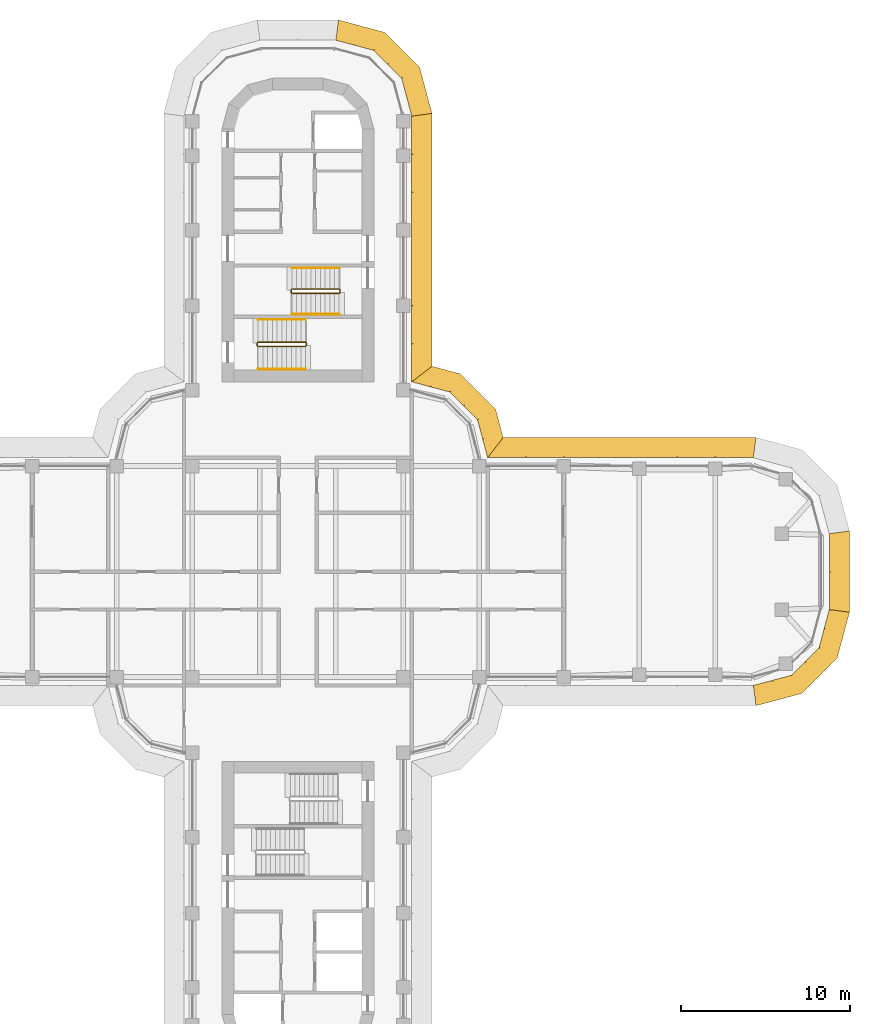
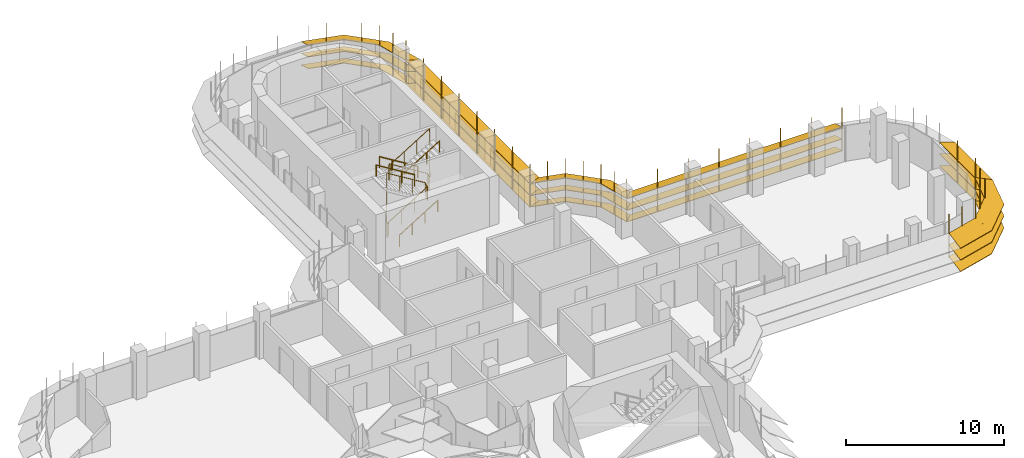
# One storey, part 18 of 19: 6 railings, 6 shading devices.
"""IFC4 building model written with IfcOpenShell, lengths in metres."""

from ifc_helpers import new_model, si_unit, direction, frame, origin, origin_2d, place, context, subcontext, project, spatial, polyline, circle, outline, extrude, faceted_brep, source, transform, mapped, material, type_object, element, save


model = new_model("IFC4")

# Units and contexts
model_context = context("Model", 3, precision=1e-05, world=origin(), true_north=direction((0.0, 1.0)))
body_context = subcontext(model_context, "Body", "Model", "MODEL_VIEW")
ifc_project = project(units=[si_unit("LENGTHUNIT", "METRE"), si_unit("AREAUNIT", "SQUARE_METRE"), si_unit("VOLUMEUNIT", "CUBIC_METRE"), si_unit("PLANEANGLEUNIT", "RADIAN"), si_unit("MASSUNIT", "GRAM", prefix="KILO")], contexts=[model_context])

# Site, building, storey
site_placement = place(None, origin())
site = spatial("IfcSite", under=ifc_project, at=site_placement, CompositionType="ELEMENT")
building_placement = place(site_placement, origin())
building = spatial("IfcBuilding", under=site, at=building_placement, Name="Zarbagh Exchange Tower", CompositionType="ELEMENT")
storey_placement = place(building_placement, frame((0.0, 0.0, 167.60009765625)))
storey = spatial("IfcBuildingStorey", under=building, at=storey_placement, Name="L40", CompositionType="ELEMENT", Elevation=167.60009765625)

# Railings
ifc_material_1 = material(Name="Stainless steel", Category="steel")
railing_type_1 = type_object("IfcRailingType", Name="Stair guard 1100 mm", PredefinedType="GUARDRAIL", material=ifc_material_1)
railing_1_placement = place(storey_placement, frame((-0.35009765625, 16.5, 2.072509765625)))
element("IfcRailing", 1, at=railing_1_placement, inside=storey, type_object=railing_type_1, Name="ST1 stair guard 1", PredefinedType="GUARDRAIL", context=body_context, shape_type="SweptSolid", body=[
    extrude(circle(Radius=0.02392578125, at=origin_2d()), frame((0.0, 0.0, 1.076171875), z_axis=(0.851089632645, 0.0, 0.525020415988), x_axis=(0.0, 1.0, 0.0)), (0.0, 0.0, 1.0), 3.2900390625),
    extrude(circle(Radius=0.02392578125, at=origin_2d()), frame((2.800048828125, 0.0, 2.80322265625), z_axis=(0.013169136761, 0.013169136761, -0.999826558796), x_axis=(-0.707106781187, 0.707106781187, 0.0)), (0.0, 0.0, 1.0), 3.800537109375),
    extrude(circle(Radius=0.02392578125, at=origin_2d()), frame((2.85009765625, 0.050048828125, -0.99658203125), z_axis=(0.0, 1.0, 0.0), x_axis=(-1.0, 0.0, 0.0)), (0.0, 0.0, 1.0), 0.14990234375),
    extrude(circle(Radius=0.02392578125, at=origin_2d()), frame((2.85009765625, 0.199951171875, -0.99658203125), z_axis=(-0.268277960024, 0.268277960024, 0.925231793839), x_axis=(-0.707106781187, -0.707106781187, 0.0)), (0.0, 0.0, 1.0), 0.1865234375),
    extrude(circle(Radius=0.02392578125, at=origin_2d()), frame((2.800048828125, 0.25, -0.82373046875), z_axis=(-0.851089632645, 0.0, 0.525020415988), x_axis=(0.0, -1.0, 0.0)), (0.0, 0.0, 1.0), 3.2900390625),
    extrude(circle(Radius=0.02392578125, at=origin_2d()), frame((0.0, 0.25, 0.9033203125), z_axis=(-0.705375805398, -0.708833529934, 0.0), x_axis=(0.708833529934, -0.705375805398, 0.0)), (0.0, 0.0, 1.0), 0.070556640625),
    extrude(circle(Radius=0.02392578125, at=origin_2d()), frame((-0.0498046875, 0.199951171875, 0.9033203125), z_axis=(0.0, -1.0, 0.0), x_axis=(1.0, 0.0, 0.0)), (0.0, 0.0, 1.0), 0.14990234375),
    extrude(circle(Radius=0.02099609375, at=origin_2d()), origin(), (0.0, 0.0, 1.0), 1.052001953125),
    extrude(circle(Radius=0.02099609375, at=origin_2d()), frame((0.933349609375, 0.0, 0.57568359375)), (0.0, 0.0, 1.0), 1.052001953125),
    extrude(circle(Radius=0.02099609375, at=origin_2d()), frame((1.86669921875, 0.0, 1.151611328125)), (0.0, 0.0, 1.0), 1.052001953125),
    extrude(circle(Radius=0.02099609375, at=origin_2d()), frame((2.800048828125, 0.0, 1.727294921875)), (0.0, 0.0, 1.0), 1.052001953125),
    extrude(circle(Radius=0.02099609375, at=origin_2d()), frame((2.8125, 0.012451171875, 0.77734375)), (0.0, 0.0, 1.0), 1.052001953125),
    extrude(circle(Radius=0.02099609375, at=origin_2d()), frame((2.8251953125, 0.02490234375, -0.172607421875)), (0.0, 0.0, 1.0), 1.052001953125),
    extrude(circle(Radius=0.02099609375, at=origin_2d()), frame((2.837646484375, 0.03759765625, -1.12255859375)), (0.0, 0.0, 1.0), 1.052001953125),
    extrude(circle(Radius=0.02099609375, at=origin_2d()), frame((2.85009765625, 0.050048828125, -2.072509765625)), (0.0, 0.0, 1.0), 1.052001953125),
    extrude(circle(Radius=0.02099609375, at=origin_2d()), frame((2.85009765625, 0.199951171875, -2.072509765625)), (0.0, 0.0, 1.0), 1.052001953125),
    extrude(circle(Radius=0.02099609375, at=origin_2d()), frame((2.800048828125, 0.25, -1.89990234375)), (0.0, 0.0, 1.0), 1.052001953125),
    extrude(circle(Radius=0.02099609375, at=origin_2d()), frame((1.86669921875, 0.25, -1.32421875)), (0.0, 0.0, 1.0), 1.052001953125),
    extrude(circle(Radius=0.02099609375, at=origin_2d()), frame((0.933349609375, 0.25, -0.748291015625)), (0.0, 0.0, 1.0), 1.052001953125),
    extrude(circle(Radius=0.02099609375, at=origin_2d()), frame((0.0, 0.25, -0.172607421875)), (0.0, 0.0, 1.0), 1.052001953125),
    extrude(circle(Radius=0.02099609375, at=origin_2d()), frame((-0.0498046875, 0.199951171875, -0.172607421875)), (0.0, 0.0, 1.0), 1.052001953125),
    extrude(circle(Radius=0.02099609375, at=origin_2d()), frame((-0.0498046875, 0.050048828125, -0.172607421875)), (0.0, 0.0, 1.0), 1.052001953125),
])
railing_2_placement = place(storey_placement, frame((0.5, 13.39990234375, 1.89990234375)))
element("IfcRailing", 2, at=railing_2_placement, inside=storey, type_object=railing_type_1, Name="ST2 stair guard 1", PredefinedType="GUARDRAIL", context=body_context, shape_type="SweptSolid", body=[
    extrude(circle(Radius=0.02392578125, at=origin_2d()), frame((0.0, 0.0, 1.076171875), z_axis=(0.0, 1.0, 0.0), x_axis=(-1.0, 0.0, 0.0)), (0.0, 0.0, 1.0), 0.150146484375),
    extrude(circle(Radius=0.02392578125, at=origin_2d()), frame((0.0, 0.150146484375, 1.076171875), z_axis=(-0.268277960024, 0.268277960024, 0.925231793839), x_axis=(-0.707106781187, -0.707106781187, 0.0)), (0.0, 0.0, 1.0), 0.1865234375),
    extrude(circle(Radius=0.02392578125, at=origin_2d()), frame((-0.050048828125, 0.2001953125, 1.24853515625), z_axis=(-0.851089632645, 0.0, 0.525020415988), x_axis=(0.0, -1.0, 0.0)), (0.0, 0.0, 1.0), 3.2900390625),
    extrude(circle(Radius=0.02392578125, at=origin_2d()), frame((-2.85009765625, 0.2001953125, 2.97607421875), z_axis=(-0.013104908129, -0.013169147875, -0.999827402569), x_axis=(0.708833529934, -0.705375805398, 0.0)), (0.0, 0.0, 1.0), 3.800537109375),
    extrude(circle(Radius=0.02392578125, at=origin_2d()), frame((-2.89990234375, 0.150146484375, -0.82373046875), z_axis=(0.0, -1.0, 0.0), x_axis=(1.0, 0.0, 0.0)), (0.0, 0.0, 1.0), 0.150146484375),
    extrude(circle(Radius=0.02392578125, at=origin_2d()), frame((-2.89990234375, 0.0, -0.82373046875), z_axis=(0.26715648603, -0.26715648603, 0.925880566782), x_axis=(0.707106781187, 0.707106781187, 0.0)), (0.0, 0.0, 1.0), 0.1865234375),
    extrude(circle(Radius=0.02392578125, at=origin_2d()), frame((-2.85009765625, -0.0498046875, -0.6513671875), z_axis=(0.851089632645, 0.0, 0.525020415988), x_axis=(0.0, 1.0, 0.0)), (0.0, 0.0, 1.0), 3.2900390625),
    extrude(circle(Radius=0.02099609375, at=origin_2d()), origin(), (0.0, 0.0, 1.0), 1.052001953125),
    extrude(circle(Radius=0.02099609375, at=origin_2d()), frame((0.0, 0.150146484375, 0.0)), (0.0, 0.0, 1.0), 1.052001953125),
    extrude(circle(Radius=0.02099609375, at=origin_2d()), frame((-0.050048828125, 0.2001953125, 0.172607421875)), (0.0, 0.0, 1.0), 1.052001953125),
    extrude(circle(Radius=0.02099609375, at=origin_2d()), frame((-0.9833984375, 0.2001953125, 0.748291015625)), (0.0, 0.0, 1.0), 1.052001953125),
    extrude(circle(Radius=0.02099609375, at=origin_2d()), frame((-1.916748046875, 0.2001953125, 1.32421875)), (0.0, 0.0, 1.0), 1.052001953125),
    extrude(circle(Radius=0.02099609375, at=origin_2d()), frame((-2.85009765625, 0.2001953125, 1.89990234375)), (0.0, 0.0, 1.0), 1.052001953125),
    extrude(circle(Radius=0.02099609375, at=origin_2d()), frame((-2.862548828125, 0.187744140625, 0.949951171875)), (0.0, 0.0, 1.0), 1.052001953125),
    extrude(circle(Radius=0.02099609375, at=origin_2d()), frame((-2.875, 0.17529296875, 0.0)), (0.0, 0.0, 1.0), 1.052001953125),
    extrude(circle(Radius=0.02099609375, at=origin_2d()), frame((-2.887451171875, 0.16259765625, -0.949951171875)), (0.0, 0.0, 1.0), 1.052001953125),
    extrude(circle(Radius=0.02099609375, at=origin_2d()), frame((-2.89990234375, 0.150146484375, -1.89990234375)), (0.0, 0.0, 1.0), 1.052001953125),
    extrude(circle(Radius=0.02099609375, at=origin_2d()), frame((-2.89990234375, 0.0, -1.89990234375)), (0.0, 0.0, 1.0), 1.052001953125),
    extrude(circle(Radius=0.02099609375, at=origin_2d()), frame((-2.85009765625, -0.0498046875, -1.727294921875)), (0.0, 0.0, 1.0), 1.052001953125),
    extrude(circle(Radius=0.02099609375, at=origin_2d()), frame((-1.916748046875, -0.0498046875, -1.151611328125)), (0.0, 0.0, 1.0), 1.052001953125),
    extrude(circle(Radius=0.02099609375, at=origin_2d()), frame((-0.9833984375, -0.0498046875, -0.57568359375)), (0.0, 0.0, 1.0), 1.052001953125),
    extrude(circle(Radius=0.02099609375, at=origin_2d()), frame((-0.050048828125, -0.0498046875, 0.0)), (0.0, 0.0, 1.0), 1.052001953125),
])
railing_type_2 = type_object("IfcRailingType", Name="Stair handrail 900 mm", PredefinedType="HANDRAIL", material=ifc_material_1)
railing_3_placement = place(storey_placement, frame((2.449951171875, 18.0, 0.172607421875)))
element("IfcRailing", 3, at=railing_3_placement, inside=storey, type_object=railing_type_2, Name="ST1 stair handrail 1", PredefinedType="HANDRAIL", context=body_context, shape_type="SweptSolid", body=[
    extrude(circle(Radius=0.02392578125, at=origin_2d()), frame((0.0, 0.0, 0.8759765625), z_axis=(-0.851089632645, 0.0, 0.525020415988), x_axis=(0.0, -1.0, 0.0)), (0.0, 0.0, 1.0), 3.2900390625),
    extrude(circle(Radius=0.02099609375, at=origin_2d()), origin(), (0.0, 0.0, 1.0), 0.851806640625),
    extrude(circle(Radius=0.02099609375, at=origin_2d()), frame((-0.933349609375, 0.0, 0.57568359375)), (0.0, 0.0, 1.0), 0.851806640625),
    extrude(circle(Radius=0.02099609375, at=origin_2d()), frame((-1.86669921875, 0.0, 1.151611328125)), (0.0, 0.0, 1.0), 0.851806640625),
    extrude(circle(Radius=0.02099609375, at=origin_2d()), frame((-2.800048828125, 0.0, 1.727294921875)), (0.0, 0.0, 1.0), 0.851806640625),
])
for number, where, name in (
    (4, (-0.35009765625, 15.25, 2.072509765625), "ST1 stair handrail 2"),
    (5, (-2.35009765625, 12.0, 0.172607421875), "ST2 stair handrail 1"),
):
    element("IfcRailing", number, at=place(storey_placement, frame(where)), inside=storey, type_object=railing_type_2, Name=name, PredefinedType="HANDRAIL", context=body_context, shape_type="SweptSolid", body=[
        extrude(circle(Radius=0.02392578125, at=origin_2d()), frame((0.0, 0.0, 0.8759765625), z_axis=(0.851089632645, 0.0, 0.525020415988), x_axis=(0.0, 1.0, 0.0)), (0.0, 0.0, 1.0), 3.2900390625),
        extrude(circle(Radius=0.02099609375, at=origin_2d()), origin(), (0.0, 0.0, 1.0), 0.851806640625),
        extrude(circle(Radius=0.02099609375, at=origin_2d()), frame((0.933349609375, 0.0, 0.57568359375)), (0.0, 0.0, 1.0), 0.851806640625),
        extrude(circle(Radius=0.02099609375, at=origin_2d()), frame((1.86669921875, 0.0, 1.151611328125)), (0.0, 0.0, 1.0), 0.851806640625),
        extrude(circle(Radius=0.02099609375, at=origin_2d()), frame((2.800048828125, 0.0, 1.727294921875)), (0.0, 0.0, 1.0), 0.851806640625),
    ])
railing_4_placement = place(storey_placement, frame((0.449951171875, 14.949951171875, 2.072509765625)))
element("IfcRailing", 6, at=railing_4_placement, inside=storey, type_object=railing_type_2, Name="ST2 stair handrail 2", PredefinedType="HANDRAIL", context=body_context, shape_type="SweptSolid", body=[
    extrude(circle(Radius=0.02392578125, at=origin_2d()), frame((0.0, 0.0, 0.8759765625), z_axis=(-0.851089632645, 0.0, 0.525020415988), x_axis=(0.0, -1.0, 0.0)), (0.0, 0.0, 1.0), 3.2900390625),
    extrude(circle(Radius=0.02099609375, at=origin_2d()), origin(), (0.0, 0.0, 1.0), 0.851806640625),
    extrude(circle(Radius=0.02099609375, at=origin_2d()), frame((-0.933349609375, 0.0, 0.57568359375)), (0.0, 0.0, 1.0), 0.851806640625),
    extrude(circle(Radius=0.02099609375, at=origin_2d()), frame((-1.86669921875, 0.0, 1.151611328125)), (0.0, 0.0, 1.0), 0.851806640625),
    extrude(circle(Radius=0.02099609375, at=origin_2d()), frame((-2.800048828125, 0.0, 1.727294921875)), (0.0, 0.0, 1.0), 0.851806640625),
])

# Shading devices
ifc_material_2 = material(Name="Anodised aluminium blades and brackets", Category="aluminium")
shading_device_type = type_object("IfcShadingDeviceType", Name="SUNSHADE louvre band, 22.5 degree blades", PredefinedType="JALOUSIE", material=ifc_material_2)
shared_shape_1 = source(origin(), body_context, "Body", "Brep", [
    faceted_brep([(0.0, 0.0, 0.0), (0.0, 0.0, -0.043212890625), (-0.157958984375, -1.199951171875, -0.540283203125), (-0.157958984375, -1.199951171875, -0.4970703125), (2.65087890625, -1.199951171875, -0.4970703125), (2.65087890625, -1.199951171875, -0.540283203125), (2.329345703125, 0.0, -0.043212890625), (2.329345703125, 0.0, 0.0)], [[[0, 1, 2, 3]], [[4, 5, 6, 7]], [[0, 7, 6, 1]], [[1, 6, 5, 2]], [[2, 5, 4, 3]], [[3, 4, 7, 0]]]),
])
shared_shape_2 = source(origin(), body_context, "Body", "Brep", [
    faceted_brep([(0.0, 0.0, 0.0), (0.0, 0.0, -0.043212890625), (-0.321533203125, -1.199951171875, -0.540283203125), (-0.321533203125, -1.199951171875, -0.4970703125), (2.65087890625, -1.199951171875, -0.4970703125), (2.65087890625, -1.199951171875, -0.540283203125), (2.329345703125, 0.0, -0.043212890625), (2.329345703125, 0.0, 0.0)], [[[0, 1, 2, 3]], [[4, 5, 6, 7]], [[0, 7, 6, 1]], [[1, 6, 5, 2]], [[2, 5, 4, 3]], [[3, 4, 7, 0]]]),
])
shared_shape_3 = source(origin(), body_context, "Body", "Brep", [
    faceted_brep([(0.0, 0.0, 0.0), (0.0, 0.0, -0.043212890625), (-0.321533203125, -1.199951171875, -0.540283203125), (-0.321533203125, -1.199951171875, -0.4970703125), (2.4873046875, -1.199951171875, -0.4970703125), (2.4873046875, -1.199951171875, -0.540283203125), (2.329345703125, 0.0, -0.043212890625), (2.329345703125, 0.0, 0.0)], [[[0, 1, 2, 3]], [[4, 5, 6, 7]], [[0, 7, 6, 1]], [[1, 6, 5, 2]], [[2, 5, 4, 3]], [[3, 4, 7, 0]]]),
])
shared_shape_4 = source(origin(), body_context, "Body", "SweptSolid", [
    extrude(outline(polyline([(0.0, -0.012451171875), (0.06005859375, -0.012451171875), (0.06005859375, 0.012451171875), (0.0, 0.012451171875), (0.0, -0.012451171875)])), origin(), (0.0, 0.0, 1.0), 3.353271484375),
])
placement = place(storey_placement, origin())
element("IfcShadingDevice", 7, at=placement, inside=storey, type_object=shading_device_type, Name="SS31 sunshade band", PredefinedType="JALOUSIE", context=body_context, shape_type="MappedRepresentation", body=[
    mapped(shared_shape_1, transform((27.0, -6.75, 2.2998046875), x_axis=(0.965924289636, 0.258824779902, 0.0), y_axis=(-0.258824779902, 0.965924289636, 0.0), z_axis=(0.0, 0.0, 1.0))),
    mapped(shared_shape_1, transform((27.0, -6.75, 1.39990234375), x_axis=(0.965924289636, 0.258824779902, 0.0), y_axis=(-0.258824779902, 0.965924289636, 0.0), z_axis=(0.0, 0.0, 1.0))),
    mapped(shared_shape_1, transform((27.0, -6.75, 0.5), x_axis=(0.965924289636, 0.258824779902, 0.0), y_axis=(-0.258824779902, 0.965924289636, 0.0), z_axis=(0.0, 0.0, 1.0))),
    mapped(shared_shape_2, transform((29.25, -6.147216796875, 2.2998046875), x_axis=(0.707106781187, 0.707106781187, 0.0), y_axis=(-0.707106781187, 0.707106781187, 0.0), z_axis=(0.0, 0.0, 1.0))),
    mapped(shared_shape_2, transform((29.25, -6.147216796875, 1.39990234375), x_axis=(0.707106781187, 0.707106781187, 0.0), y_axis=(-0.707106781187, 0.707106781187, 0.0), z_axis=(0.0, 0.0, 1.0))),
    mapped(shared_shape_2, transform((29.25, -6.147216796875, 0.5), x_axis=(0.707106781187, 0.707106781187, 0.0), y_axis=(-0.707106781187, 0.707106781187, 0.0), z_axis=(0.0, 0.0, 1.0))),
    mapped(shared_shape_3, transform((30.897216796875, -4.5, 2.2998046875), x_axis=(0.258824779902, 0.965924289636, 0.0), y_axis=(-0.965924289636, 0.258824779902, 0.0), z_axis=(0.0, 0.0, 1.0))),
    mapped(shared_shape_3, transform((30.897216796875, -4.5, 1.39990234375), x_axis=(0.258824779902, 0.965924289636, 0.0), y_axis=(-0.965924289636, 0.258824779902, 0.0), z_axis=(0.0, 0.0, 1.0))),
    mapped(shared_shape_3, transform((30.897216796875, -4.5, 0.5), x_axis=(0.258824779902, 0.965924289636, 0.0), y_axis=(-0.965924289636, 0.258824779902, 0.0), z_axis=(0.0, 0.0, 1.0))),
    mapped(shared_shape_4, transform((27.0, -6.75, 0.426513671875), x_axis=(0.130529263012, -0.991444457092, 0.0), y_axis=(0.991444457092, 0.130529263012, 0.0), z_axis=(0.0, 0.0, 1.0))),
    mapped(shared_shape_4, transform((28.125, -6.448486328125, 0.426513671875), x_axis=(0.258825058029, -0.96592421511, 0.0), y_axis=(0.96592421511, 0.258825058029, 0.0), z_axis=(0.0, 0.0, 1.0))),
    mapped(shared_shape_4, transform((29.25, -6.147216796875, 0.426513671875), x_axis=(0.50000275701, -0.866023812018, 0.0), y_axis=(0.866023812018, 0.50000275701, 0.0), z_axis=(0.0, 0.0, 1.0))),
    mapped(shared_shape_4, transform((30.073486328125, -5.323486328125, 0.426513671875), x_axis=(0.707106781187, -0.707106781187, 0.0), y_axis=(0.707106781187, 0.707106781187, 0.0), z_axis=(0.0, 0.0, 1.0))),
    mapped(shared_shape_4, transform((30.897216796875, -4.5, 0.426513671875), x_axis=(0.866023812018, -0.50000275701, 0.0), y_axis=(0.50000275701, 0.866023812018, 0.0), z_axis=(0.0, 0.0, 1.0))),
    mapped(shared_shape_4, transform((31.198486328125, -3.375, 0.426513671875), x_axis=(0.96592421511, -0.258825058029, 0.0), y_axis=(0.258825058029, 0.96592421511, 0.0), z_axis=(0.0, 0.0, 1.0))),
])
element("IfcShadingDevice", 8, at=placement, inside=storey, type_object=shading_device_type, Name="SS26 sunshade band", PredefinedType="JALOUSIE", context=body_context, shape_type="MappedRepresentation", body=[
    mapped(shared_shape_1, transform((6.75, 27.0, 2.2998046875), x_axis=(-0.258824779902, 0.965924289636, 0.0), y_axis=(-0.965924289636, -0.258824779902, 0.0), z_axis=(0.0, 0.0, 1.0))),
    mapped(shared_shape_1, transform((6.75, 27.0, 1.39990234375), x_axis=(-0.258824779902, 0.965924289636, 0.0), y_axis=(-0.965924289636, -0.258824779902, 0.0), z_axis=(0.0, 0.0, 1.0))),
    mapped(shared_shape_1, transform((6.75, 27.0, 0.5), x_axis=(-0.258824779902, 0.965924289636, 0.0), y_axis=(-0.965924289636, -0.258824779902, 0.0), z_axis=(0.0, 0.0, 1.0))),
    mapped(shared_shape_2, transform((6.147216796875, 29.25, 2.2998046875), x_axis=(-0.707106781187, 0.707106781187, 0.0), y_axis=(-0.707106781187, -0.707106781187, 0.0), z_axis=(0.0, 0.0, 1.0))),
    mapped(shared_shape_2, transform((6.147216796875, 29.25, 1.39990234375), x_axis=(-0.707106781187, 0.707106781187, 0.0), y_axis=(-0.707106781187, -0.707106781187, 0.0), z_axis=(0.0, 0.0, 1.0))),
    mapped(shared_shape_2, transform((6.147216796875, 29.25, 0.5), x_axis=(-0.707106781187, 0.707106781187, 0.0), y_axis=(-0.707106781187, -0.707106781187, 0.0), z_axis=(0.0, 0.0, 1.0))),
    mapped(shared_shape_3, transform((4.5, 30.897216796875, 2.2998046875), x_axis=(-0.965924289636, 0.258824779902, 0.0), y_axis=(-0.258824779902, -0.965924289636, 0.0), z_axis=(0.0, 0.0, 1.0))),
    mapped(shared_shape_3, transform((4.5, 30.897216796875, 1.39990234375), x_axis=(-0.965924289636, 0.258824779902, 0.0), y_axis=(-0.258824779902, -0.965924289636, 0.0), z_axis=(0.0, 0.0, 1.0))),
    mapped(shared_shape_3, transform((4.5, 30.897216796875, 0.5), x_axis=(-0.965924289636, 0.258824779902, 0.0), y_axis=(-0.258824779902, -0.965924289636, 0.0), z_axis=(0.0, 0.0, 1.0))),
    mapped(shared_shape_4, transform((6.75, 27.0, 0.426513671875), x_axis=(0.991444457092, 0.130529263012, 0.0), y_axis=(-0.130529263012, 0.991444457092, 0.0), z_axis=(0.0, 0.0, 1.0))),
    mapped(shared_shape_4, transform((6.448486328125, 28.125, 0.426513671875), x_axis=(0.96592421511, 0.258825058029, 0.0), y_axis=(-0.258825058029, 0.96592421511, 0.0), z_axis=(0.0, 0.0, 1.0))),
    mapped(shared_shape_4, transform((6.147216796875, 29.25, 0.426513671875), x_axis=(0.866023812018, 0.50000275701, 0.0), y_axis=(-0.50000275701, 0.866023812018, 0.0), z_axis=(0.0, 0.0, 1.0))),
    mapped(shared_shape_4, transform((5.323486328125, 30.073486328125, 0.426513671875), x_axis=(0.707106781187, 0.707106781187, 0.0), y_axis=(-0.707106781187, 0.707106781187, 0.0), z_axis=(0.0, 0.0, 1.0))),
    mapped(shared_shape_4, transform((4.5, 30.897216796875, 0.426513671875), x_axis=(0.50000275701, 0.866023812018, 0.0), y_axis=(-0.866023812018, 0.50000275701, 0.0), z_axis=(0.0, 0.0, 1.0))),
    mapped(shared_shape_4, transform((3.375, 31.198486328125, 0.426513671875), x_axis=(0.258825058029, 0.96592421511, 0.0), y_axis=(-0.96592421511, 0.258825058029, 0.0), z_axis=(0.0, 0.0, 1.0))),
])
shared_shape_5 = source(origin(), body_context, "Body", "Brep", [
    faceted_brep([(0.0, 0.0, 0.0), (0.0, 0.0, -0.043212890625), (0.9208984375, -1.199951171875, -0.540283203125), (0.9208984375, -1.199951171875, -0.4970703125), (2.65087890625, -1.199951171875, -0.4970703125), (2.65087890625, -1.199951171875, -0.540283203125), (2.329345703125, 0.0, -0.043212890625), (2.329345703125, 0.0, 0.0)], [[[0, 1, 2, 3]], [[4, 5, 6, 7]], [[0, 7, 6, 1]], [[1, 6, 5, 2]], [[2, 5, 4, 3]], [[3, 4, 7, 0]]]),
])
shared_shape_6 = source(origin(), body_context, "Body", "Brep", [
    faceted_brep([(0.0, 0.0, 0.0), (0.0, 0.0, -0.043212890625), (-0.321533203125, -1.199951171875, -0.540283203125), (-0.321533203125, -1.199951171875, -0.4970703125), (1.40869140625, -1.199951171875, -0.4970703125), (1.40869140625, -1.199951171875, -0.540283203125), (2.329345703125, 0.0, -0.043212890625), (2.329345703125, 0.0, 0.0)], [[[0, 1, 2, 3]], [[4, 5, 6, 7]], [[0, 7, 6, 1]], [[1, 6, 5, 2]], [[2, 5, 4, 3]], [[3, 4, 7, 0]]]),
])
element("IfcShadingDevice", 9, at=placement, inside=storey, type_object=shading_device_type, Name="SS09 sunshade band", PredefinedType="JALOUSIE", context=body_context, shape_type="MappedRepresentation", body=[
    mapped(shared_shape_5, transform((11.25, 6.75, 2.2998046875), x_axis=(-0.258824779902, 0.965924289636, 0.0), y_axis=(-0.965924289636, -0.258824779902, 0.0), z_axis=(0.0, 0.0, 1.0))),
    mapped(shared_shape_5, transform((11.25, 6.75, 1.39990234375), x_axis=(-0.258824779902, 0.965924289636, 0.0), y_axis=(-0.965924289636, -0.258824779902, 0.0), z_axis=(0.0, 0.0, 1.0))),
    mapped(shared_shape_5, transform((11.25, 6.75, 0.5), x_axis=(-0.258824779902, 0.965924289636, 0.0), y_axis=(-0.965924289636, -0.258824779902, 0.0), z_axis=(0.0, 0.0, 1.0))),
    mapped(shared_shape_2, transform((10.647216796875, 9.0, 2.2998046875), x_axis=(-0.707106781187, 0.707106781187, 0.0), y_axis=(-0.707106781187, -0.707106781187, 0.0), z_axis=(0.0, 0.0, 1.0))),
    mapped(shared_shape_2, transform((10.647216796875, 9.0, 1.39990234375), x_axis=(-0.707106781187, 0.707106781187, 0.0), y_axis=(-0.707106781187, -0.707106781187, 0.0), z_axis=(0.0, 0.0, 1.0))),
    mapped(shared_shape_2, transform((10.647216796875, 9.0, 0.5), x_axis=(-0.707106781187, 0.707106781187, 0.0), y_axis=(-0.707106781187, -0.707106781187, 0.0), z_axis=(0.0, 0.0, 1.0))),
    mapped(shared_shape_6, transform((9.0, 10.647216796875, 2.2998046875), x_axis=(-0.965924289636, 0.258824779902, 0.0), y_axis=(-0.258824779902, -0.965924289636, 0.0), z_axis=(0.0, 0.0, 1.0))),
    mapped(shared_shape_6, transform((9.0, 10.647216796875, 1.39990234375), x_axis=(-0.965924289636, 0.258824779902, 0.0), y_axis=(-0.258824779902, -0.965924289636, 0.0), z_axis=(0.0, 0.0, 1.0))),
    mapped(shared_shape_6, transform((9.0, 10.647216796875, 0.5), x_axis=(-0.965924289636, 0.258824779902, 0.0), y_axis=(-0.258824779902, -0.965924289636, 0.0), z_axis=(0.0, 0.0, 1.0))),
    mapped(shared_shape_4, transform((11.25, 6.75, 0.426513671875), x_axis=(0.608758892, 0.793355287, 0.0), y_axis=(-0.793355287, 0.608758892, 0.0), z_axis=(0.0, 0.0, 1.0))),
    mapped(shared_shape_4, transform((10.948486328125, 7.875, 0.426513671875), x_axis=(0.96592421511, 0.258825058029, 0.0), y_axis=(-0.258825058029, 0.96592421511, 0.0), z_axis=(0.0, 0.0, 1.0))),
    mapped(shared_shape_4, transform((10.647216796875, 9.0, 0.426513671875), x_axis=(0.866023812018, 0.50000275701, 0.0), y_axis=(-0.50000275701, 0.866023812018, 0.0), z_axis=(0.0, 0.0, 1.0))),
    mapped(shared_shape_4, transform((9.823486328125, 9.823486328125, 0.426513671875), x_axis=(0.707106781187, 0.707106781187, 0.0), y_axis=(-0.707106781187, 0.707106781187, 0.0), z_axis=(0.0, 0.0, 1.0))),
    mapped(shared_shape_4, transform((9.0, 10.647216796875, 0.426513671875), x_axis=(0.50000275701, 0.866023812018, 0.0), y_axis=(-0.866023812018, 0.50000275701, 0.0), z_axis=(0.0, 0.0, 1.0))),
    mapped(shared_shape_4, transform((7.875, 10.948486328125, 0.426513671875), x_axis=(0.258825058029, 0.96592421511, 0.0), y_axis=(-0.96592421511, 0.258825058029, 0.0), z_axis=(0.0, 0.0, 1.0))),
])
shared_shape_7 = source(origin(), body_context, "Body", "Brep", [
    faceted_brep([(0.0, 0.0, 0.0), (0.0, 0.0, -0.043212890625), (-0.157958984375, -1.199951171875, -0.540283203125), (-0.157958984375, -1.199951171875, -0.4970703125), (4.657958984375, -1.199951171875, -0.4970703125), (4.657958984375, -1.199951171875, -0.540283203125), (4.5, 0.0, -0.043212890625), (4.5, 0.0, 0.0)], [[[0, 1, 2, 3]], [[4, 5, 6, 7]], [[0, 7, 6, 1]], [[1, 6, 5, 2]], [[2, 5, 4, 3]], [[3, 4, 7, 0]]]),
])
element("IfcShadingDevice", 10, at=placement, inside=storey, type_object=shading_device_type, Name="SS32 sunshade band", PredefinedType="JALOUSIE", context=body_context, shape_type="MappedRepresentation", body=[
    mapped(shared_shape_7, transform((31.5, -2.25, 2.2998046875), x_axis=(0.0, 1.0, 0.0), y_axis=(-1.0, 0.0, 0.0), z_axis=(0.0, 0.0, 1.0))),
    mapped(shared_shape_7, transform((31.5, -2.25, 1.39990234375), x_axis=(0.0, 1.0, 0.0), y_axis=(-1.0, 0.0, 0.0), z_axis=(0.0, 0.0, 1.0))),
    mapped(shared_shape_7, transform((31.5, -2.25, 0.5), x_axis=(0.0, 1.0, 0.0), y_axis=(-1.0, 0.0, 0.0), z_axis=(0.0, 0.0, 1.0))),
    mapped(shared_shape_4, transform((31.5, -2.25, 0.426513671875), x_axis=(0.991444457092, -0.130529263012, 0.0), y_axis=(0.130529263012, 0.991444457092, 0.0), z_axis=(0.0, 0.0, 1.0))),
    mapped(shared_shape_4, transform((31.5, 0.0, 0.426513671875), x_axis=(1.0, 0.0, 0.0), y_axis=(0.0, 1.0, 0.0), z_axis=(0.0, 0.0, 1.0))),
])
shared_shape_8 = source(origin(), body_context, "Body", "Brep", [
    faceted_brep([(0.0, 0.0, 0.0), (0.0, 0.0, -0.043212890625), (-0.157958984375, -1.199951171875, -0.540283203125), (-0.157958984375, -1.199951171875, -0.4970703125), (14.8291015625, -1.199951171875, -0.4970703125), (14.8291015625, -1.199951171875, -0.540283203125), (15.75, 0.0, -0.043212890625), (15.75, 0.0, 0.0)], [[[0, 1, 2, 3]], [[4, 5, 6, 7]], [[0, 7, 6, 1]], [[1, 6, 5, 2]], [[2, 5, 4, 3]], [[3, 4, 7, 0]]]),
])
element("IfcShadingDevice", 11, at=placement, inside=storey, type_object=shading_device_type, Name="SS34 sunshade band", PredefinedType="JALOUSIE", context=body_context, shape_type="MappedRepresentation", body=[
    mapped(shared_shape_8, transform((27.0, 6.75, 2.2998046875), x_axis=(-1.0, 0.0, 0.0), y_axis=(0.0, -1.0, 0.0), z_axis=(0.0, 0.0, 1.0))),
    mapped(shared_shape_8, transform((27.0, 6.75, 1.39990234375), x_axis=(-1.0, 0.0, 0.0), y_axis=(0.0, -1.0, 0.0), z_axis=(0.0, 0.0, 1.0))),
    mapped(shared_shape_8, transform((27.0, 6.75, 0.5), x_axis=(-1.0, 0.0, 0.0), y_axis=(0.0, -1.0, 0.0), z_axis=(0.0, 0.0, 1.0))),
    mapped(shared_shape_4, transform((27.0, 6.75, 0.426513671875), x_axis=(0.130529263012, 0.991444457092, 0.0), y_axis=(-0.991444457092, 0.130529263012, 0.0), z_axis=(0.0, 0.0, 1.0))),
    mapped(shared_shape_4, transform((24.75, 6.75, 0.426513671875), x_axis=(0.0, 1.0, 0.0), y_axis=(-1.0, 0.0, 0.0), z_axis=(0.0, 0.0, 1.0))),
    mapped(shared_shape_4, transform((22.5, 6.75, 0.426513671875), x_axis=(0.0, 1.0, 0.0), y_axis=(-1.0, 0.0, 0.0), z_axis=(0.0, 0.0, 1.0))),
    mapped(shared_shape_4, transform((20.25, 6.75, 0.426513671875), x_axis=(0.0, 1.0, 0.0), y_axis=(-1.0, 0.0, 0.0), z_axis=(0.0, 0.0, 1.0))),
    mapped(shared_shape_4, transform((18.0, 6.75, 0.426513671875), x_axis=(0.0, 1.0, 0.0), y_axis=(-1.0, 0.0, 0.0), z_axis=(0.0, 0.0, 1.0))),
    mapped(shared_shape_4, transform((15.75, 6.75, 0.426513671875), x_axis=(0.0, 1.0, 0.0), y_axis=(-1.0, 0.0, 0.0), z_axis=(0.0, 0.0, 1.0))),
    mapped(shared_shape_4, transform((13.5, 6.75, 0.426513671875), x_axis=(0.0, 1.0, 0.0), y_axis=(-1.0, 0.0, 0.0), z_axis=(0.0, 0.0, 1.0))),
])
shared_shape_9 = source(origin(), body_context, "Body", "Brep", [
    faceted_brep([(0.0, 0.0, 0.0), (0.0, 0.0, -0.043212890625), (0.9208984375, -1.199951171875, -0.540283203125), (0.9208984375, -1.199951171875, -0.4970703125), (15.907958984375, -1.199951171875, -0.4970703125), (15.907958984375, -1.199951171875, -0.540283203125), (15.75, 0.0, -0.043212890625), (15.75, 0.0, 0.0)], [[[0, 1, 2, 3]], [[4, 5, 6, 7]], [[0, 7, 6, 1]], [[1, 6, 5, 2]], [[2, 5, 4, 3]], [[3, 4, 7, 0]]]),
])
element("IfcShadingDevice", 12, at=placement, inside=storey, type_object=shading_device_type, Name="SS25 sunshade band", PredefinedType="JALOUSIE", context=body_context, shape_type="MappedRepresentation", body=[
    mapped(shared_shape_9, transform((6.75, 11.25, 2.2998046875), x_axis=(0.0, 1.0, 0.0), y_axis=(-1.0, 0.0, 0.0), z_axis=(0.0, 0.0, 1.0))),
    mapped(shared_shape_9, transform((6.75, 11.25, 1.39990234375), x_axis=(0.0, 1.0, 0.0), y_axis=(-1.0, 0.0, 0.0), z_axis=(0.0, 0.0, 1.0))),
    mapped(shared_shape_9, transform((6.75, 11.25, 0.5), x_axis=(0.0, 1.0, 0.0), y_axis=(-1.0, 0.0, 0.0), z_axis=(0.0, 0.0, 1.0))),
    mapped(shared_shape_4, transform((6.75, 11.25, 0.426513671875), x_axis=(0.793355287, 0.608758892, 0.0), y_axis=(-0.608758892, 0.793355287, 0.0), z_axis=(0.0, 0.0, 1.0))),
    mapped(shared_shape_4, transform((6.75, 13.5, 0.426513671875), x_axis=(1.0, 0.0, 0.0), y_axis=(0.0, 1.0, 0.0), z_axis=(0.0, 0.0, 1.0))),
    mapped(shared_shape_4, transform((6.75, 15.75, 0.426513671875), x_axis=(1.0, 0.0, 0.0), y_axis=(0.0, 1.0, 0.0), z_axis=(0.0, 0.0, 1.0))),
    mapped(shared_shape_4, transform((6.75, 18.0, 0.426513671875), x_axis=(1.0, 0.0, 0.0), y_axis=(0.0, 1.0, 0.0), z_axis=(0.0, 0.0, 1.0))),
    mapped(shared_shape_4, transform((6.75, 20.25, 0.426513671875), x_axis=(1.0, 0.0, 0.0), y_axis=(0.0, 1.0, 0.0), z_axis=(0.0, 0.0, 1.0))),
    mapped(shared_shape_4, transform((6.75, 22.5, 0.426513671875), x_axis=(1.0, 0.0, 0.0), y_axis=(0.0, 1.0, 0.0), z_axis=(0.0, 0.0, 1.0))),
    mapped(shared_shape_4, transform((6.75, 24.75, 0.426513671875), x_axis=(1.0, 0.0, 0.0), y_axis=(0.0, 1.0, 0.0), z_axis=(0.0, 0.0, 1.0))),
])

save(model, "model.ifc")
